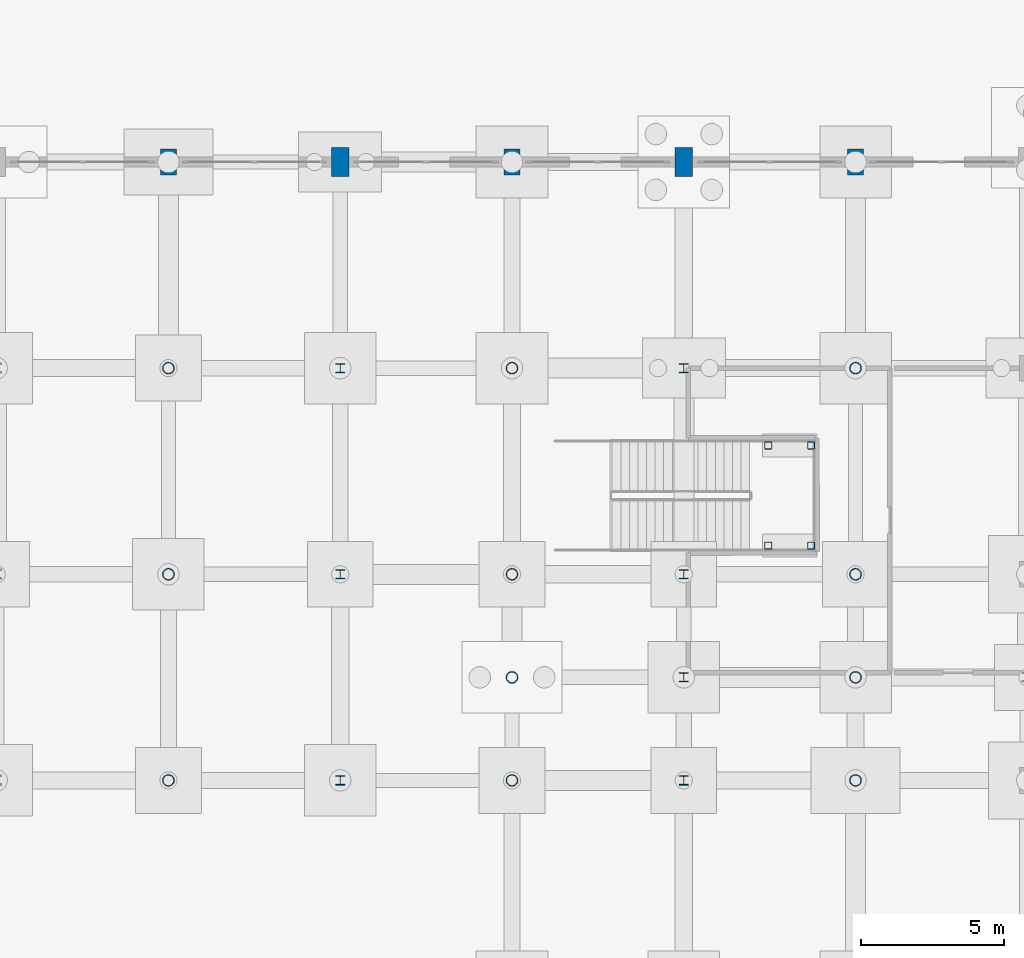
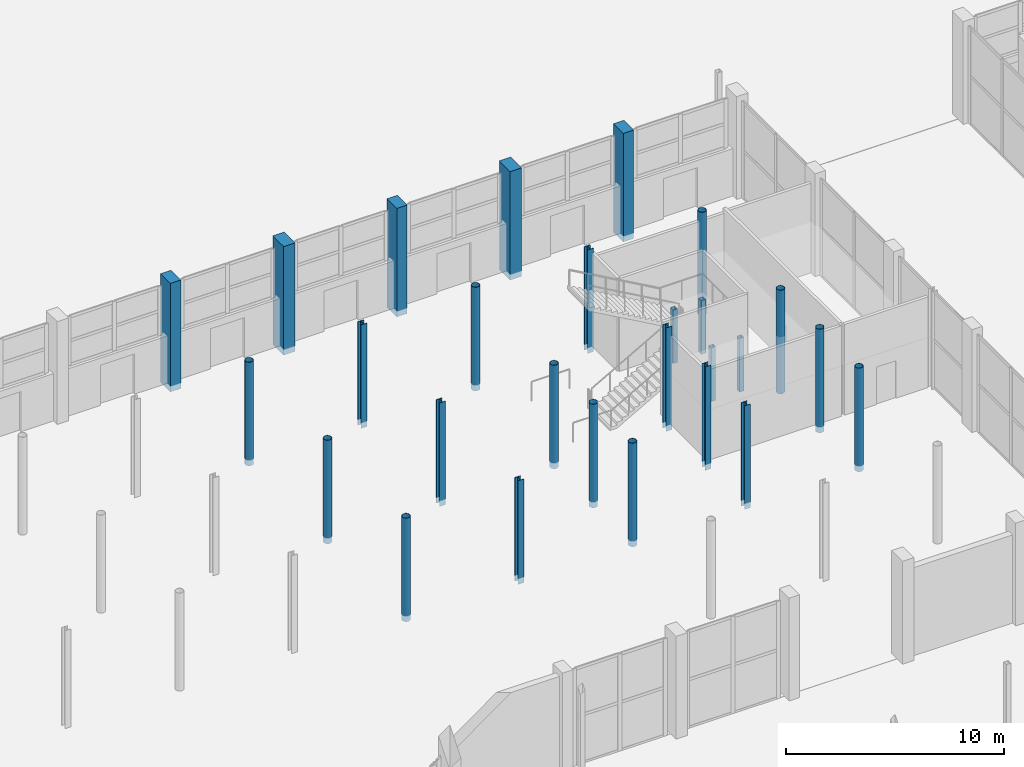
# One storey, part 28 of 103: 27 columns.
"""IFC4 building model written with IfcOpenShell, lengths in metres."""

from ifc_helpers import new_model, si_unit, direction, frame, origin, origin_2d, place, context, subcontext, project, spatial, rectangle, hollow_rectangle, hollow_circle, i_section, extrude, material, material_profile, profile_set, type_object, element, save


model = new_model("IFC4")

# Units and contexts
model_context = context("Model", 3, precision=1e-05, world=origin(), true_north=direction((0.0, 1.0)))
body_context = subcontext(model_context, "Body", "Model", "MODEL_VIEW")
ifc_project = project(units=[si_unit("LENGTHUNIT", "METRE"), si_unit("AREAUNIT", "SQUARE_METRE"), si_unit("VOLUMEUNIT", "CUBIC_METRE"), si_unit("PLANEANGLEUNIT", "RADIAN"), si_unit("MASSUNIT", "GRAM", prefix="KILO")], contexts=[model_context])

# Site, building, storey
site_placement = place(None, origin())
site = spatial("IfcSite", under=ifc_project, at=site_placement, CompositionType="ELEMENT")
building_placement = place(site_placement, origin())
building = spatial("IfcBuilding", under=site, at=building_placement, Name="Dunvalen Ferry Terminal", CompositionType="ELEMENT")
storey_placement = place(building_placement, origin())
storey = spatial("IfcBuildingStorey", under=building, at=storey_placement, Name="L00", CompositionType="ELEMENT", Elevation=0.0)

# Columns
ifc_material_1 = material(Name="Steel S355", Category="steel")
ifc_material_profile_1 = material_profile(ifc_material_1, hollow_circle(Radius=0.203125, WallThickness=0.01611328125, at=origin_2d()), Name="Steel S355")
ifc_profile_set_1 = profile_set([ifc_material_profile_1], Name="Steel S355")
column_type_1 = type_object("IfcColumnType", Name="STR-COL-CHS406", PredefinedType="COLUMN", material=ifc_profile_set_1)
for number, where, z_axis, x_axis, name in (
    (1, (66.0, 64.800048828125, -0.320068359375), (0.0, 0.0, 1.0), (1.0, 0.0, 0.0), "L00 Waiting Lounge Mezzanine Column 66-64"),
    (2, (66.0, 72.0, -0.320068359375), (0.0, 0.0, 1.0), (1.0, 0.0, 0.0), "L00 Waiting Lounge Mezzanine Column 66-72"),
    (3, (66.0, 79.199951171875, -0.320068359375), (0.0, 0.0, 1.0), (1.0, 0.0, 0.0), "L00 Waiting Lounge Mezzanine Column 66-79"),
    (4, (78.0, 64.800048828125, -0.320068359375), (0.0, 0.0, 1.0), (1.0, 0.0, 0.0), "L00 Waiting Lounge Mezzanine Column 78-64"),
    (5, (78.0, 68.39990234375, -0.320068359375), (0.0, 0.0, 1.0), (1.0, 0.0, 0.0), "L00 Waiting Lounge Mezzanine Column 78-68"),
    (6, (78.0, 72.0, -0.320068359375), (0.0, 0.0, 1.0), (1.0, 0.0, 0.0), "L00 Waiting Lounge Mezzanine Column 78-72"),
    (7, (78.0, 79.199951171875, -0.320068359375), (0.0, 0.0, 1.0), (1.0, 0.0, 0.0), "L00 Waiting Lounge Mezzanine Column 78-79"),
    (8, (90.0, 64.800048828125, -0.320068359375), (0.0, 0.0, 1.0), (1.0, 0.0, 0.0), "L00 Waiting Lounge Mezzanine Column 90-64"),
    (9, (90.0, 68.39990234375, -0.320068359375), (0.0, 0.0, 1.0), (1.0, 0.0, 0.0), "L00 Waiting Lounge Mezzanine Column 90-68"),
    (10, (90.0, 72.0, -0.320068359375), (0.0, 0.0, 1.0), (1.0, 0.0, 0.0), "L00 Waiting Lounge Mezzanine Column 90-72"),
    (11, (90.0, 79.199951171875, -0.320068359375), (0.0, 0.0, 1.0), (1.0, 0.0, 0.0), "L00 Waiting Lounge Mezzanine Column 90-79"),
):
    element("IfcColumn", number, at=place(storey_placement, frame(where, z_axis=z_axis, x_axis=x_axis)), inside=storey, type_object=column_type_1, Name=name, PredefinedType="COLUMN", context=body_context, shape_type="SweptSolid", body=[
        extrude(hollow_circle(Radius=0.203125, WallThickness=0.01611328125, at=origin_2d()), origin(), (0.0, 0.0, 1.0), 5.800048828125),
    ])
ifc_material_2 = material(Name="Concrete C40/50", Category="concrete")
ifc_material_profile_2 = material_profile(ifc_material_2, rectangle(XDim=0.60009765625, YDim=1.0, at=origin_2d()), Name="Concrete C40/50")
ifc_profile_set_2 = profile_set([ifc_material_profile_2], Name="Concrete C40/50")
column_type_2 = type_object("IfcColumnType", Name="STR-COL-PIER1000", PredefinedType="COLUMN", material=ifc_profile_set_2)
for number, where, z_axis, x_axis, name in (
    (12, (72.0, 86.39990234375, -0.320068359375), (0.0, 0.0, 1.0), (1.0, 0.0, 0.0), "L00 Departure Hall Perimeter Pier 26"),
    (13, (84.0, 86.39990234375, -0.320068359375), (0.0, 0.0, 1.0), (1.0, 0.0, 0.0), "L00 Departure Hall Perimeter Pier 28"),
):
    element("IfcColumn", number, at=place(storey_placement, frame(where, z_axis=z_axis, x_axis=x_axis)), inside=storey, type_object=column_type_2, Name=name, PredefinedType="COLUMN", context=body_context, shape_type="SweptSolid", body=[
        extrude(rectangle(XDim=0.60009765625, YDim=1.0, at=origin_2d()), origin(), (0.0, 0.0, 1.0), 6.080078125),
    ])
ifc_material_profile_3 = material_profile(ifc_material_2, rectangle(XDim=0.550048828125, YDim=0.89990234375, at=origin_2d()), Name="Concrete C40/50")
ifc_profile_set_3 = profile_set([ifc_material_profile_3], Name="Concrete C40/50")
column_type_3 = type_object("IfcColumnType", Name="STR-COL-PIER900", PredefinedType="COLUMN", material=ifc_profile_set_3)
for number, where, z_axis, x_axis, name in (
    (14, (66.0, 86.39990234375, -0.320068359375), (0.0, 0.0, 1.0), (1.0, 0.0, 0.0), "L00 Departure Hall Perimeter Pier 25"),
    (15, (78.0, 86.39990234375, -0.320068359375), (0.0, 0.0, 1.0), (1.0, 0.0, 0.0), "L00 Departure Hall Perimeter Pier 27"),
    (16, (90.0, 86.39990234375, -0.320068359375), (0.0, 0.0, 1.0), (1.0, 0.0, 0.0), "L00 Departure Hall Perimeter Pier 29"),
):
    element("IfcColumn", number, at=place(storey_placement, frame(where, z_axis=z_axis, x_axis=x_axis)), inside=storey, type_object=column_type_3, Name=name, PredefinedType="COLUMN", context=body_context, shape_type="SweptSolid", body=[
        extrude(rectangle(XDim=0.550048828125, YDim=0.89990234375, at=origin_2d()), origin(), (0.0, 0.0, 1.0), 6.080078125),
    ])
ifc_material_profile_4 = material_profile(ifc_material_1, hollow_rectangle(XDim=0.25, YDim=0.25, WallThickness=0.010009765625, InnerFilletRadius=0.010009765625, OuterFilletRadius=0.02001953125, at=origin_2d()), Name="Steel S355")
ifc_profile_set_4 = profile_set([ifc_material_profile_4], Name="Steel S355")
column_type_4 = type_object("IfcColumnType", Name="STR-COL-SHS250", PredefinedType="COLUMN", material=ifc_profile_set_4)
for number, where, z_axis, x_axis, name in (
    (17, (86.949951171875, 73.0, -0.320068359375), (0.0, 0.0, 1.0), (1.0, 0.0, 0.0), "L00 ST8 Feature Stair Landing Column 1"),
    (18, (88.449951171875, 73.0, -0.320068359375), (0.0, 0.0, 1.0), (1.0, 0.0, 0.0), "L00 ST8 Feature Stair Landing Column 2"),
    (19, (86.949951171875, 76.5, -0.320068359375), (0.0, 0.0, 1.0), (1.0, 0.0, 0.0), "L00 ST8 Feature Stair Landing Column 3"),
    (20, (88.449951171875, 76.5, -0.320068359375), (0.0, 0.0, 1.0), (1.0, 0.0, 0.0), "L00 ST8 Feature Stair Landing Column 4"),
):
    element("IfcColumn", number, at=place(storey_placement, frame(where, z_axis=z_axis, x_axis=x_axis)), inside=storey, type_object=column_type_4, Name=name, PredefinedType="COLUMN", context=body_context, shape_type="SweptSolid", body=[
        extrude(hollow_rectangle(XDim=0.25, YDim=0.25, WallThickness=0.010009765625, InnerFilletRadius=0.010009765625, OuterFilletRadius=0.02001953125, at=origin_2d()), origin(), (0.0, 0.0, 1.0), 3.0),
    ])
ifc_material_profile_5 = material_profile(ifc_material_1, i_section(OverallWidth=0.30908203125, OverallDepth=0.320556640625, WebThickness=0.013916015625, FlangeThickness=0.021728515625, FilletRadius=0.01513671875, at=origin_2d()), Name="Steel S355")
ifc_profile_set_5 = profile_set([ifc_material_profile_5], Name="Steel S355")
column_type_5 = type_object("IfcColumnType", Name="STR-COL-UKC305", PredefinedType="COLUMN", material=ifc_profile_set_5)
for number, where, z_axis, x_axis, name in (
    (21, (72.0, 64.800048828125, -0.320068359375), (0.0, 0.0, 1.0), (1.0, 0.0, 0.0), "L00 Waiting Lounge Mezzanine Column 72-64"),
    (22, (72.0, 72.0, -0.320068359375), (0.0, 0.0, 1.0), (1.0, 0.0, 0.0), "L00 Waiting Lounge Mezzanine Column 72-72"),
    (23, (72.0, 79.199951171875, -0.320068359375), (0.0, 0.0, 1.0), (1.0, 0.0, 0.0), "L00 Waiting Lounge Mezzanine Column 72-79"),
    (24, (84.0, 64.800048828125, -0.320068359375), (0.0, 0.0, 1.0), (1.0, 0.0, 0.0), "L00 Waiting Lounge Mezzanine Column 84-64"),
    (25, (84.0, 68.39990234375, -0.320068359375), (0.0, 0.0, 1.0), (1.0, 0.0, 0.0), "L00 Waiting Lounge Mezzanine Column 84-68"),
    (26, (84.0, 72.0, -0.320068359375), (0.0, 0.0, 1.0), (1.0, 0.0, 0.0), "L00 Waiting Lounge Mezzanine Column 84-72"),
    (27, (84.0, 79.199951171875, -0.320068359375), (0.0, 0.0, 1.0), (1.0, 0.0, 0.0), "L00 Waiting Lounge Mezzanine Column 84-79"),
):
    element("IfcColumn", number, at=place(storey_placement, frame(where, z_axis=z_axis, x_axis=x_axis)), inside=storey, type_object=column_type_5, Name=name, PredefinedType="COLUMN", context=body_context, shape_type="SweptSolid", body=[
        extrude(i_section(OverallWidth=0.30908203125, OverallDepth=0.320556640625, WebThickness=0.013916015625, FlangeThickness=0.021728515625, FilletRadius=0.01513671875, at=origin_2d()), origin(), (0.0, 0.0, 1.0), 5.800048828125),
    ])

save(model, "model.ifc")
